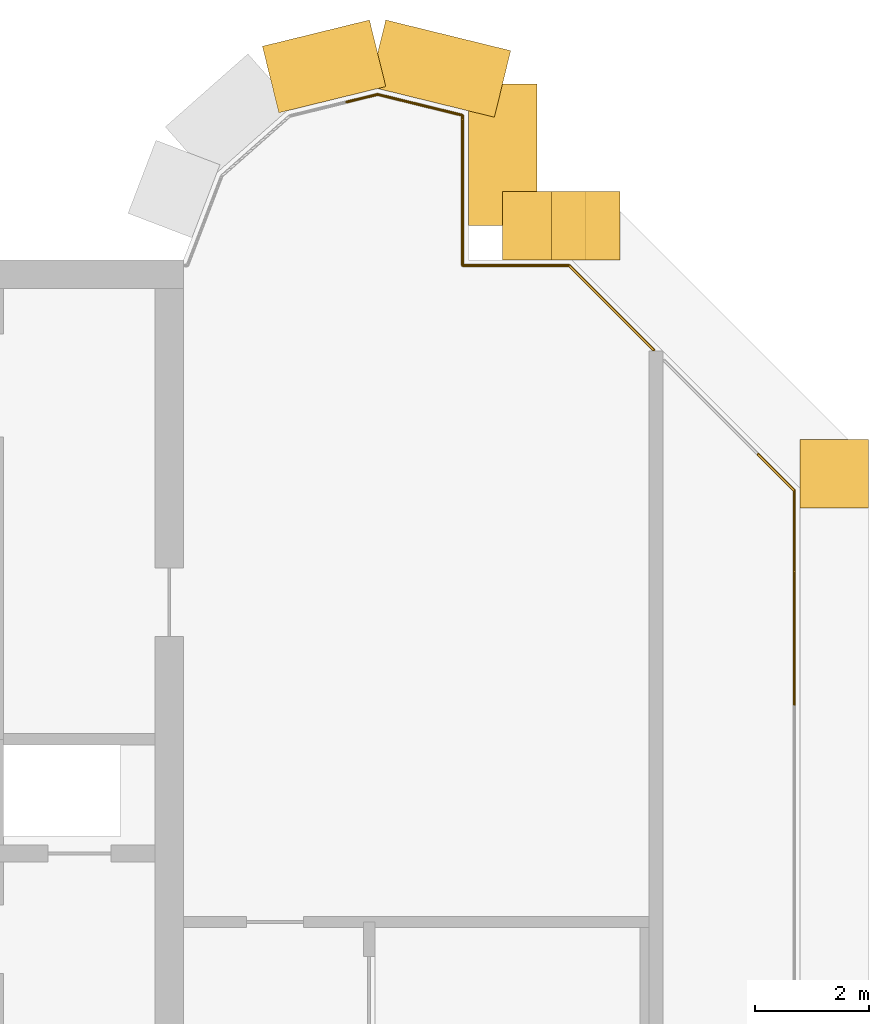
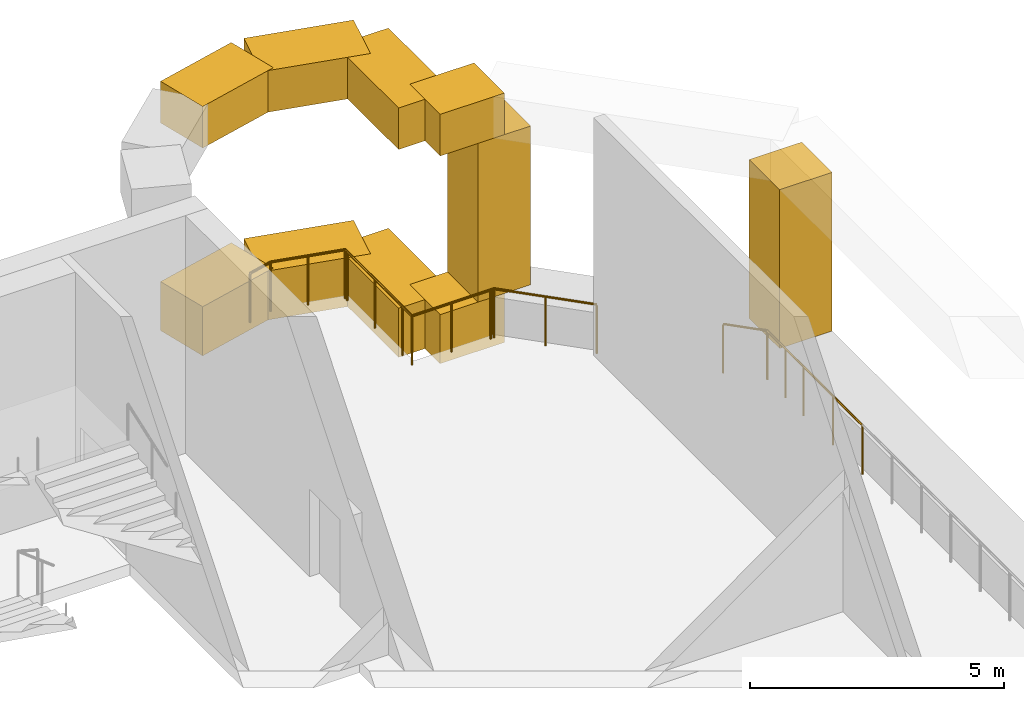
# One storey, part 13 of 15: 10 coverings, 6 railings.
"""IFC4 building model written with IfcOpenShell, lengths in metres."""

from ifc_helpers import new_model, si_unit, direction, frame, origin, origin_2d, place, context, subcontext, project, spatial, rectangle, circle, extrude, source, transform, mapped, material, type_object, element, save


model = new_model("IFC4")

# Units and contexts
model_context = context("Model", 3, precision=1e-05, world=origin(), true_north=direction((0.0, 1.0)))
body_context = subcontext(model_context, "Body", "Model", "MODEL_VIEW")
ifc_project = project(units=[si_unit("LENGTHUNIT", "METRE"), si_unit("AREAUNIT", "SQUARE_METRE"), si_unit("VOLUMEUNIT", "CUBIC_METRE"), si_unit("PLANEANGLEUNIT", "RADIAN"), si_unit("MASSUNIT", "GRAM", prefix="KILO")], contexts=[model_context])

# Site, building, storey
site_placement = place(None, origin())
site = spatial("IfcSite", under=ifc_project, at=site_placement, CompositionType="ELEMENT")
building_placement = place(site_placement, origin())
building = spatial("IfcBuilding", under=site, at=building_placement, Name="Vanashikhar Sky Hotel", CompositionType="ELEMENT")
storey_placement = place(building_placement, frame((0.0, 0.0, 317.699951171875)))
storey = spatial("IfcBuildingStorey", under=building, at=storey_placement, Name="L76", CompositionType="ELEMENT", Elevation=317.699951171875)

# Coverings
ifc_material_1 = material(Name="Concrete M60 dark", Category="concrete")
covering_type = type_object("IfcCoveringType", Name="Turbine slot portal frame", PredefinedType="CLADDING", material=ifc_material_1)
shared_shape_1 = source(origin(), body_context, "Body", "SweptSolid", [
    extrude(rectangle(XDim=1.93017578125, YDim=1.199951171875, at=origin_2d()), origin(), (0.0, 0.0, 1.0), 1.0),
])
covering_1_placement = place(storey_placement, frame((78.062744140625, 45.3876953125, 4.719970703125), z_axis=(0.0, 0.0, 1.0), x_axis=(-0.971146768161, -0.23848260878, 0.0)))
element("IfcCovering", 1, at=covering_1_placement, inside=storey, type_object=covering_type, Name="Portal frame head", PredefinedType="CLADDING", context=body_context, shape_type="MappedRepresentation", body=[
    mapped(shared_shape_1, transform((0.0, 0.0, 0.0), scale=1.0)),
])
shared_shape_2 = source(origin(), body_context, "Body", "SweptSolid", [
    extrude(rectangle(XDim=1.93017578125, YDim=1.199951171875, at=origin_2d()), origin(), (0.0, 0.0, 1.0), 1.179931640625),
])
covering_2_placement = place(storey_placement, frame((78.062744140625, 45.3876953125, -0.27978515625), z_axis=(0.0, 0.0, 1.0), x_axis=(-0.971146768161, -0.23848260878, 0.0)))
element("IfcCovering", 2, at=covering_2_placement, inside=storey, type_object=covering_type, Name="Portal frame sill", PredefinedType="CLADDING", context=body_context, shape_type="MappedRepresentation", body=[
    mapped(shared_shape_2, transform((0.0, 0.0, 0.0), scale=1.0)),
])

# Railings
ifc_material_2 = material(Name="Stainless steel 316", Category="steel")
railing_type = type_object("IfcRailingType", Name="Open edge guard 1200", PredefinedType="GUARDRAIL", material=ifc_material_2)
shared_shape_3 = source(origin(), body_context, "Body", "SweptSolid", [
    extrude(circle(Radius=0.02392578125, at=origin_2d()), frame((0.0, 0.0, 1.17578125), z_axis=(0.707106781187, -0.707106781187, 0.0), x_axis=(0.707106781187, 0.707106781187, 0.0)), (0.0, 0.0, 1.0), 0.900146484375),
    extrude(circle(Radius=0.02392578125, at=origin_2d()), frame((0.636474609375, -0.636474609375, 1.17578125), z_axis=(0.0, -1.0, 0.0), x_axis=(1.0, 0.0, 0.0)), (0.0, 0.0, 1.0), 1.42431640625),
    extrude(circle(Radius=0.02099609375, at=origin_2d()), origin(), (0.0, 0.0, 1.0), 1.15185546875),
    extrude(circle(Radius=0.02099609375, at=origin_2d()), frame((0.636474609375, -0.636474609375, 0.0)), (0.0, 0.0, 1.0), 1.15185546875),
    extrude(circle(Radius=0.02099609375, at=origin_2d()), frame((0.636474609375, -1.3486328125, 0.0)), (0.0, 0.0, 1.0), 1.15185546875),
    extrude(circle(Radius=0.02099609375, at=origin_2d()), frame((0.636474609375, -2.060791015625, 0.0)), (0.0, 0.0, 1.0), 1.15185546875),
])
railing_1_placement = place(storey_placement, frame((85.66357421875, 38.594970703125, 0.0)))
element("IfcRailing", 3, at=railing_1_placement, inside=storey, type_object=railing_type, Name="Open edge guard", PredefinedType="GUARDRAIL", context=body_context, shape_type="MappedRepresentation", body=[
    mapped(shared_shape_3, transform((0.0, 0.0, 0.0), scale=1.0)),
])
shared_shape_4 = source(origin(), body_context, "Body", "SweptSolid", [
    extrude(circle(Radius=0.02392578125, at=origin_2d()), frame((0.0, 0.0, 1.17578125), z_axis=(0.0, -1.0, 0.0), x_axis=(1.0, 0.0, 0.0)), (0.0, 0.0, 1.0), 2.324462890625),
    extrude(circle(Radius=0.02099609375, at=origin_2d()), origin(), (0.0, 0.0, 1.0), 1.15185546875),
    extrude(circle(Radius=0.02099609375, at=origin_2d()), frame((0.0, -1.162109375, 0.0)), (0.0, 0.0, 1.0), 1.15185546875),
    extrude(circle(Radius=0.02099609375, at=origin_2d()), frame((0.0, -2.324462890625, 0.0)), (0.0, 0.0, 1.0), 1.15185546875),
])
railing_2_placement = place(storey_placement, frame((86.300048828125, 36.5341796875, 0.0)))
element("IfcRailing", 4, at=railing_2_placement, inside=storey, type_object=railing_type, Name="Open edge guard", PredefinedType="GUARDRAIL", context=body_context, shape_type="MappedRepresentation", body=[
    mapped(shared_shape_4, transform((0.0, 0.0, 0.0), scale=1.0)),
])
shared_shape_5 = source(origin(), body_context, "Body", "SweptSolid", [
    extrude(circle(Radius=0.02392578125, at=origin_2d()), frame((0.0, 0.0, 1.17578125), z_axis=(0.971212752114, 0.238213748831, 0.0), x_axis=(-0.238213748831, 0.971212752114, 0.0)), (0.0, 0.0, 1.0), 0.55859375),
    extrude(circle(Radius=0.02392578125, at=origin_2d()), frame((0.54248046875, 0.133056640625, 1.17578125), z_axis=(0.971137069772, -0.238522099007, 0.0), x_axis=(0.238522099007, 0.971137069772, 0.0)), (0.0, 0.0, 1.0), 1.5322265625),
    extrude(circle(Radius=0.02392578125, at=origin_2d()), frame((2.030517578125, -0.232421875, 1.17578125), z_axis=(0.0, -1.0, 0.0), x_axis=(1.0, 0.0, 0.0)), (0.0, 0.0, 1.0), 0.08056640625),
    extrude(circle(Radius=0.02099609375, at=origin_2d()), origin(), (0.0, 0.0, 1.0), 1.15185546875),
    extrude(circle(Radius=0.02099609375, at=origin_2d()), frame((0.54248046875, 0.133056640625, 0.0)), (0.0, 0.0, 1.0), 1.15185546875),
    extrude(circle(Radius=0.02099609375, at=origin_2d()), frame((1.28662109375, -0.0498046875, 0.0)), (0.0, 0.0, 1.0), 1.15185546875),
    extrude(circle(Radius=0.02099609375, at=origin_2d()), frame((2.030517578125, -0.232421875, 0.0)), (0.0, 0.0, 1.0), 1.15185546875),
    extrude(circle(Radius=0.02099609375, at=origin_2d()), frame((2.030517578125, -0.31298828125, 0.0)), (0.0, 0.0, 1.0), 1.15185546875),
])
railing_3_placement = place(storey_placement, frame((78.45751953125, 44.763916015625, 0.0)))
element("IfcRailing", 5, at=railing_3_placement, inside=storey, type_object=railing_type, Name="Open edge guard", PredefinedType="GUARDRAIL", context=body_context, shape_type="MappedRepresentation", body=[
    mapped(shared_shape_5, transform((0.0, 0.0, 0.0), scale=1.0)),
])
shared_shape_6 = source(origin(), body_context, "Body", "SweptSolid", [
    extrude(circle(Radius=0.02392578125, at=origin_2d()), frame((0.0, 0.0, 1.17578125), z_axis=(0.0, -1.0, 0.0), x_axis=(1.0, 0.0, 0.0)), (0.0, 0.0, 1.0), 2.171630859375),
    extrude(circle(Radius=0.02099609375, at=origin_2d()), origin(), (0.0, 0.0, 1.0), 1.15185546875),
    extrude(circle(Radius=0.02099609375, at=origin_2d()), frame((0.0, -1.0859375, 0.0)), (0.0, 0.0, 1.0), 1.15185546875),
    extrude(circle(Radius=0.02099609375, at=origin_2d()), frame((0.0, -2.171630859375, 0.0)), (0.0, 0.0, 1.0), 1.15185546875),
])
railing_4_placement = place(storey_placement, frame((80.488037109375, 44.450927734375, 0.0)))
element("IfcRailing", 6, at=railing_4_placement, inside=storey, type_object=railing_type, Name="Open edge guard", PredefinedType="GUARDRAIL", context=body_context, shape_type="MappedRepresentation", body=[
    mapped(shared_shape_6, transform((0.0, 0.0, 0.0), scale=1.0)),
])
shared_shape_7 = source(origin(), body_context, "Body", "SweptSolid", [
    extrude(circle(Radius=0.02392578125, at=origin_2d()), frame((0.0, 0.0, 1.17578125), z_axis=(0.0, -1.0, 0.0), x_axis=(1.0, 0.0, 0.0)), (0.0, 0.0, 1.0), 0.37939453125),
    extrude(circle(Radius=0.02392578125, at=origin_2d()), frame((0.0, -0.37939453125, 1.17578125), z_axis=(1.0, 0.0, 0.0), x_axis=(0.0, 1.0, 0.0)), (0.0, 0.0, 1.0), 1.7919921875),
    extrude(circle(Radius=0.02099609375, at=origin_2d()), origin(), (0.0, 0.0, 1.0), 1.15185546875),
    extrude(circle(Radius=0.02099609375, at=origin_2d()), frame((0.0, -0.37939453125, 0.0)), (0.0, 0.0, 1.0), 1.15185546875),
    extrude(circle(Radius=0.02099609375, at=origin_2d()), frame((0.89599609375, -0.37939453125, 0.0)), (0.0, 0.0, 1.0), 1.15185546875),
    extrude(circle(Radius=0.02099609375, at=origin_2d()), frame((1.7919921875, -0.37939453125, 0.0)), (0.0, 0.0, 1.0), 1.15185546875),
])
railing_5_placement = place(storey_placement, frame((80.488037109375, 42.279296875, 0.0)))
element("IfcRailing", 7, at=railing_5_placement, inside=storey, type_object=railing_type, Name="Open edge guard", PredefinedType="GUARDRAIL", context=body_context, shape_type="MappedRepresentation", body=[
    mapped(shared_shape_7, transform((0.0, 0.0, 0.0), scale=1.0)),
])
shared_shape_8 = source(origin(), body_context, "Body", "SweptSolid", [
    extrude(circle(Radius=0.02392578125, at=origin_2d()), frame((0.0, 0.0, 1.17578125), z_axis=(1.0, 0.0, 0.0), x_axis=(0.0, 1.0, 0.0)), (0.0, 0.0, 1.0), 0.07861328125),
    extrude(circle(Radius=0.02392578125, at=origin_2d()), frame((0.07861328125, 0.0, 1.17578125), z_axis=(0.707106781187, -0.707106781187, 0.0), x_axis=(0.707106781187, 0.707106781187, 0.0)), (0.0, 0.0, 1.0), 2.093017578125),
    extrude(circle(Radius=0.02099609375, at=origin_2d()), origin(), (0.0, 0.0, 1.0), 1.15185546875),
    extrude(circle(Radius=0.02099609375, at=origin_2d()), frame((0.07861328125, 0.0, 0.0)), (0.0, 0.0, 1.0), 1.15185546875),
    extrude(circle(Radius=0.02099609375, at=origin_2d()), frame((0.818603515625, -0.739990234375, 0.0)), (0.0, 0.0, 1.0), 1.15185546875),
    extrude(circle(Radius=0.02099609375, at=origin_2d()), frame((1.55859375, -1.47998046875, 0.0)), (0.0, 0.0, 1.0), 1.15185546875),
])
railing_6_placement = place(storey_placement, frame((82.280029296875, 41.89990234375, 0.0)))
element("IfcRailing", 8, at=railing_6_placement, inside=storey, type_object=railing_type, Name="Open edge guard", PredefinedType="GUARDRAIL", context=body_context, shape_type="MappedRepresentation", body=[
    mapped(shared_shape_8, transform((0.0, 0.0, 0.0), scale=1.0)),
])

# Coverings
shared_shape_9 = source(origin(), body_context, "Body", "SweptSolid", [
    extrude(rectangle(XDim=1.46044921875, YDim=1.199951171875, at=origin_2d()), origin(), (0.0, 0.0, 1.0), 1.0),
])
covering_3_placement = place(storey_placement, frame((81.918212890625, 42.60009765625, 4.719970703125), z_axis=(0.0, 0.0, 1.0), x_axis=(-1.0, 0.0, 0.0)))
element("IfcCovering", 9, at=covering_3_placement, inside=storey, type_object=covering_type, Name="Portal frame head", PredefinedType="CLADDING", context=body_context, shape_type="MappedRepresentation", body=[
    mapped(shared_shape_9, transform((0.0, 0.0, 0.0), scale=1.0)),
])
shared_shape_10 = source(origin(), body_context, "Body", "SweptSolid", [
    extrude(rectangle(XDim=1.46044921875, YDim=1.199951171875, at=origin_2d()), origin(), (0.0, 0.0, 1.0), 1.179931640625),
])
covering_4_placement = place(storey_placement, frame((81.918212890625, 42.60009765625, -0.27978515625), z_axis=(0.0, 0.0, 1.0), x_axis=(-1.0, 0.0, 0.0)))
element("IfcCovering", 10, at=covering_4_placement, inside=storey, type_object=covering_type, Name="Portal frame sill", PredefinedType="CLADDING", context=body_context, shape_type="MappedRepresentation", body=[
    mapped(shared_shape_10, transform((0.0, 0.0, 0.0), scale=1.0)),
])
shared_shape_11 = source(origin(), body_context, "Body", "SweptSolid", [
    extrude(rectangle(XDim=2.48046875, YDim=1.199951171875, at=origin_2d()), origin(), (0.0, 0.0, 1.0), 1.0),
])
covering_5_placement = place(storey_placement, frame((81.18798828125, 43.840087890625, 4.719970703125), z_axis=(0.0, 0.0, 1.0), x_axis=(0.0, 1.0, 0.0)))
element("IfcCovering", 11, at=covering_5_placement, inside=storey, type_object=covering_type, Name="Portal frame head", PredefinedType="CLADDING", context=body_context, shape_type="MappedRepresentation", body=[
    mapped(shared_shape_11, transform((0.0, 0.0, 0.0), scale=1.0)),
])
shared_shape_12 = source(origin(), body_context, "Body", "SweptSolid", [
    extrude(rectangle(XDim=2.48046875, YDim=1.199951171875, at=origin_2d()), origin(), (0.0, 0.0, 1.0), 1.179931640625),
])
covering_6_placement = place(storey_placement, frame((81.18798828125, 43.840087890625, -0.27978515625), z_axis=(0.0, 0.0, 1.0), x_axis=(0.0, 1.0, 0.0)))
element("IfcCovering", 12, at=covering_6_placement, inside=storey, type_object=covering_type, Name="Portal frame sill", PredefinedType="CLADDING", context=body_context, shape_type="MappedRepresentation", body=[
    mapped(shared_shape_12, transform((0.0, 0.0, 0.0), scale=1.0)),
])
shared_shape_13 = source(origin(), body_context, "Body", "SweptSolid", [
    extrude(rectangle(XDim=2.2529296875, YDim=1.199951171875, at=origin_2d()), origin(), (0.0, 0.0, 1.0), 1.0),
])
covering_7_placement = place(storey_placement, frame((80.093994140625, 45.34912109375, 4.719970703125), z_axis=(0.0, 0.0, 1.0), x_axis=(-0.971146768161, 0.23848260878, 0.0)))
element("IfcCovering", 13, at=covering_7_placement, inside=storey, type_object=covering_type, Name="Portal frame head", PredefinedType="CLADDING", context=body_context, shape_type="MappedRepresentation", body=[
    mapped(shared_shape_13, transform((0.0, 0.0, 0.0), scale=1.0)),
])
shared_shape_14 = source(origin(), body_context, "Body", "SweptSolid", [
    extrude(rectangle(XDim=2.2529296875, YDim=1.199951171875, at=origin_2d()), origin(), (0.0, 0.0, 1.0), 1.179931640625),
])
covering_8_placement = place(storey_placement, frame((80.093994140625, 45.34912109375, -0.27978515625), z_axis=(0.0, 0.0, 1.0), x_axis=(-0.971146768161, 0.23848260878, 0.0)))
element("IfcCovering", 14, at=covering_8_placement, inside=storey, type_object=covering_type, Name="Portal frame sill", PredefinedType="CLADDING", context=body_context, shape_type="MappedRepresentation", body=[
    mapped(shared_shape_14, transform((0.0, 0.0, 0.0), scale=1.0)),
])
shared_shape_15 = source(origin(), body_context, "Body", "SweptSolid", [
    extrude(rectangle(XDim=1.199951171875, YDim=1.199951171875, at=origin_2d()), origin(), (0.0, 0.0, 1.0), 3.820068359375),
])
for number, where, z_axis, x_axis, name in (
    (15, (87.0, 38.24853515625, 0.89990234375), (0.0, 0.0, 1.0), (1.0, 0.0, 0.0), "Portal frame jamb"),
    (16, (82.6484375, 42.60009765625, 0.89990234375), (0.0, 0.0, 1.0), (1.0, 0.0, 0.0), "Portal frame jamb"),
):
    element("IfcCovering", number, at=place(storey_placement, frame(where, z_axis=z_axis, x_axis=x_axis)), inside=storey, type_object=covering_type, Name=name, PredefinedType="CLADDING", context=body_context, shape_type="MappedRepresentation", body=[
        mapped(shared_shape_15, transform((0.0, 0.0, 0.0), scale=1.0)),
    ])

save(model, "model.ifc")
